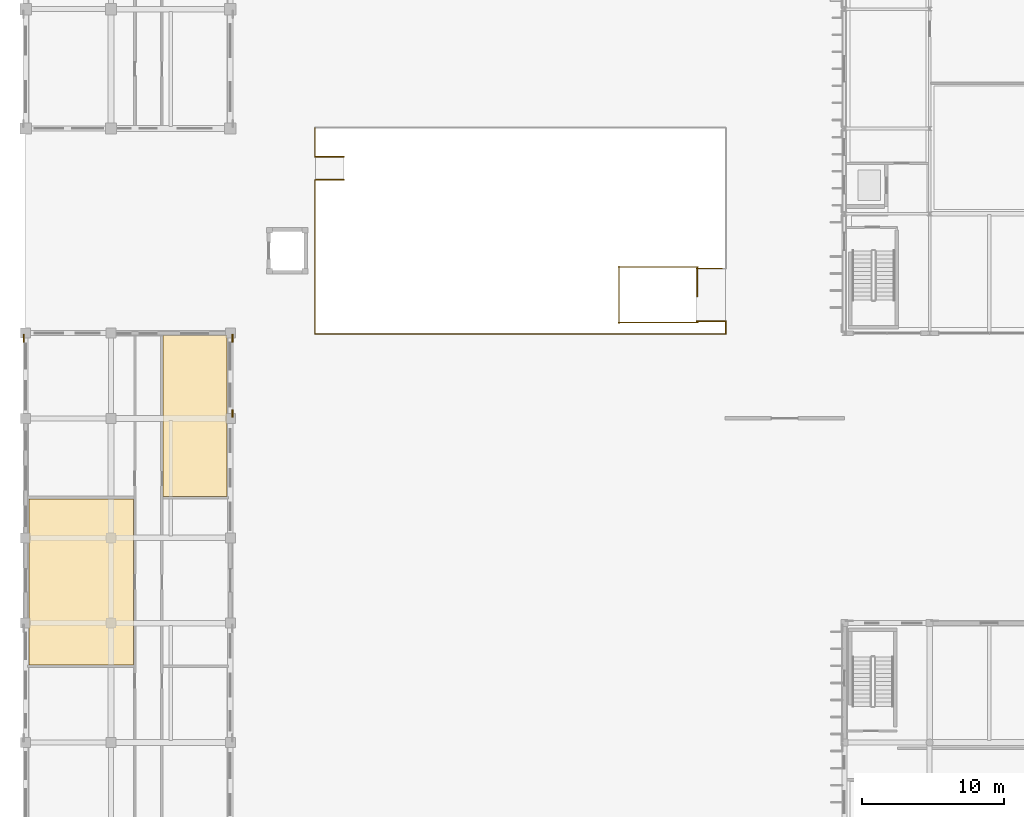
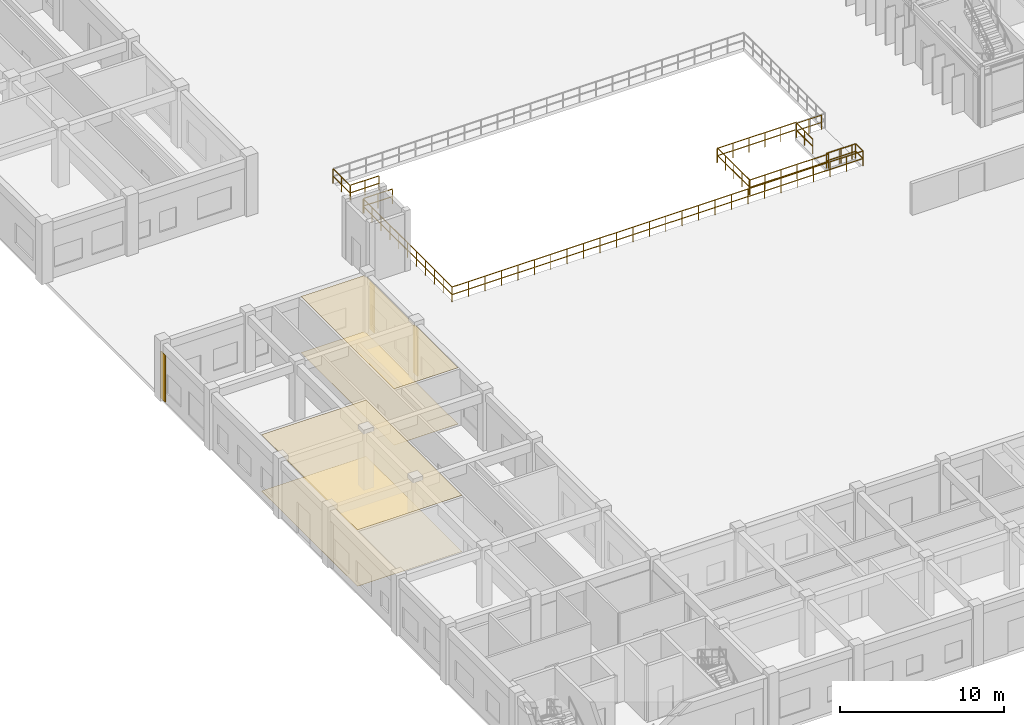
# One storey, part 53 of 67: 12 railings, 7 coverings.
"""IFC4 building model written with IfcOpenShell, lengths in metres."""

from ifc_helpers import new_model, si_unit, direction, frame, origin, origin_2d, place, context, subcontext, project, spatial, polyline, rectangle, outline, extrude, material, layer, layer_set, type_object, element, save


model = new_model("IFC4")

# Units and contexts
model_context = context("Model", 3, precision=1e-05, world=origin(), true_north=direction((0.0, 1.0)))
body_context = subcontext(model_context, "Body", "Model", "MODEL_VIEW")
ifc_project = project(units=[si_unit("LENGTHUNIT", "METRE"), si_unit("AREAUNIT", "SQUARE_METRE"), si_unit("VOLUMEUNIT", "CUBIC_METRE"), si_unit("PLANEANGLEUNIT", "RADIAN"), si_unit("MASSUNIT", "GRAM", prefix="KILO"), si_unit("THERMODYNAMICTEMPERATUREUNIT", "KELVIN")], contexts=[model_context])

# Site, building, storey
site_placement = place(None, origin())
site = spatial("IfcSite", under=ifc_project, at=site_placement, CompositionType="ELEMENT")
building_placement = place(site_placement, origin())
building = spatial("IfcBuilding", under=site, at=building_placement, Name="Thalorik Housing Commons", CompositionType="ELEMENT")
storey_placement = place(building_placement, origin())
storey = spatial("IfcBuildingStorey", under=building, at=storey_placement, Name="L00", CompositionType="ELEMENT", Elevation=0.0)

# Coverings
ifc_material_1 = material(Name="Cobalt blue glazed ceramic facade tile panel", Category="masonry")
ifc_layer_1 = layer(ifc_material_1, 0.06005859375, Name="Cobalt blue glazed ceramic facade tile panel", Category="masonry")
ifc_layer_set_1 = layer_set([ifc_layer_1], Name="Cobalt blue glazed ceramic facade tile panel")
covering_type_1 = type_object("IfcCoveringType", Name="ARC-CLD-BLU-60", PredefinedType="CLADDING", material=ifc_layer_set_1)
covering_1_placement = place(storey_placement, frame((8.255615234375, 57.25, 0.0498046875), z_axis=(0.0, 0.0, 1.0), x_axis=(0.0, -1.0, 0.0)))
element("IfcCovering", 1, at=covering_1_placement, inside=storey, type_object=covering_type_1, Name="L00 Architectural Facade Cladding 3418", PredefinedType="CLADDING", context=body_context, shape_type="SweptSolid", body=[
    extrude(rectangle(XDim=0.550048828125, YDim=0.06005859375, at=origin_2d()), origin(), (0.0, 0.0, 1.0), 3.485107421875),
])
ifc_material_2 = material(Name="Precast concrete C40/50", Category="concrete")
ifc_layer_2 = layer(ifc_material_2, 0.074951171875, Name="Precast concrete C40/50", Category="concrete")
ifc_layer_set_2 = layer_set([ifc_layer_2], Name="Precast concrete C40/50")
covering_type_2 = type_object("IfcCoveringType", Name="ARC-CLD-PIER-75", PredefinedType="CLADDING", material=ifc_layer_set_2)
for number, where, z_axis, x_axis, name in (
    (2, (22.951904296875, 51.949951171875, 0.0498046875), (0.0, 0.0, 1.0), (0.0, 1.0, 0.0), "L00 Architectural Facade Cladding 3416"),
    (3, (22.951904296875, 57.25, 0.0498046875), (0.0, 0.0, 1.0), (0.0, 1.0, 0.0), "L00 Architectural Facade Cladding 3417"),
):
    element("IfcCovering", number, at=place(storey_placement, frame(where, z_axis=z_axis, x_axis=x_axis)), inside=storey, type_object=covering_type_2, Name=name, PredefinedType="CLADDING", context=body_context, shape_type="SweptSolid", body=[
        extrude(rectangle(XDim=0.550048828125, YDim=0.074951171875, at=origin_2d()), origin(), (0.0, 0.0, 1.0), 3.485107421875),
    ])
ifc_material_3 = material(Name="Perforated acoustic gypsum ceiling board")
ifc_layer_3 = layer(ifc_material_3, 0.014892578125, Name="Perforated acoustic gypsum ceiling board")
ifc_layer_set_3 = layer_set([ifc_layer_3], Name="Perforated acoustic gypsum ceiling board")
covering_type_3 = type_object("IfcCoveringType", Name="ARC-COV-CEIL-01", PredefinedType="CEILING", material=ifc_layer_set_3)
covering_2_placement = place(storey_placement, frame((0.0, 0.0, 4.18505859375)))
element("IfcCovering", 4, at=covering_2_placement, inside=storey, type_object=covering_type_3, Name="L00 Bicycle Repair Workshop Suspended Ceiling", PredefinedType="CEILING", context=body_context, shape_type="SweptSolid", body=[
    extrude(outline(polyline([(16.0, 45.949951171875), (8.639892578125, 45.949951171875), (8.639892578125, 34.25), (16.0, 34.25), (16.0, 45.949951171875)])), origin(), (0.0, 0.0, 1.0), 0.014892578125),
])
ifc_material_4 = material(Name="Mineral fibre acoustic ceiling tile")
ifc_layer_4 = layer(ifc_material_4, 0.01806640625, Name="Mineral fibre acoustic ceiling tile")
ifc_layer_set_4 = layer_set([ifc_layer_4], Name="Mineral fibre acoustic ceiling tile")
covering_type_4 = type_object("IfcCoveringType", Name="ARC-COV-CEIL-02", PredefinedType="CEILING", material=ifc_layer_set_4)
covering_3_placement = place(storey_placement, frame((0.0, 0.0, 4.181884765625)))
element("IfcCovering", 5, at=covering_3_placement, inside=storey, type_object=covering_type_4, Name="L00 Senior Day Lounge Suspended Ceiling", PredefinedType="CEILING", context=body_context, shape_type="SweptSolid", body=[
    extrude(outline(polyline([(22.56005859375, 57.4599609375), (18.06005859375, 57.4599609375), (18.06005859375, 46.110107421875), (22.56005859375, 46.110107421875), (22.56005859375, 57.4599609375)])), origin(), (0.0, 0.0, 1.0), 0.01806640625),
])
ifc_material_5 = material(Name="Glazed Recife ceramic apartment floor tile")
ifc_layer_5 = layer(ifc_material_5, 0.011962890625, Name="Glazed Recife ceramic apartment floor tile")
ifc_layer_set_5 = layer_set([ifc_layer_5], Name="Glazed Recife ceramic apartment floor tile")
covering_type_5 = type_object("IfcCoveringType", Name="ARC-COV-FLR-01", PredefinedType="FLOORING", material=ifc_layer_set_5)
covering_4_placement = place(storey_placement, origin())
element("IfcCovering", 6, at=covering_4_placement, inside=storey, type_object=covering_type_5, Name="L00 Bicycle Repair Workshop Flooring", PredefinedType="FLOORING", context=body_context, shape_type="SweptSolid", body=[
    extrude(outline(polyline([(16.0, 45.949951171875), (8.639892578125, 45.949951171875), (8.639892578125, 34.25), (16.0, 34.25), (16.0, 45.949951171875)])), origin(), (0.0, 0.0, 1.0), 0.011962890625),
])
ifc_material_6 = material(Name="Slip-resistant quarry terracotta corridor tile", Category="masonry")
ifc_layer_6 = layer(ifc_material_6, 0.01611328125, Name="Slip-resistant quarry terracotta corridor tile", Category="masonry")
ifc_layer_set_6 = layer_set([ifc_layer_6], Name="Slip-resistant quarry terracotta corridor tile")
covering_type_6 = type_object("IfcCoveringType", Name="ARC-COV-FLR-02", PredefinedType="FLOORING", material=ifc_layer_set_6)
covering_5_placement = place(storey_placement, origin())
element("IfcCovering", 7, at=covering_5_placement, inside=storey, type_object=covering_type_6, Name="L00 Senior Day Lounge Flooring", PredefinedType="FLOORING", context=body_context, shape_type="SweptSolid", body=[
    extrude(outline(polyline([(22.56005859375, 57.4599609375), (18.06005859375, 57.4599609375), (18.06005859375, 46.110107421875), (22.56005859375, 46.110107421875), (22.56005859375, 57.4599609375)])), origin(), (0.0, 0.0, 1.0), 0.01611328125),
])

# Railings
ifc_material_7 = material(Name="Steel S355", Category="steel")
railing_type_1 = type_object("IfcRailingType", Name="ARC-RL-STR-GRD110", PredefinedType="GUARDRAIL", material=ifc_material_7)
railing_1_placement = place(storey_placement, frame((55.64990234375, 62.199951171875, 0.0)))
element("IfcRailing", 8, at=railing_1_placement, inside=storey, type_object=railing_type_1, Name="L00 ST-M1 top well guard 1", PredefinedType="GUARDRAIL", context=body_context, shape_type="SweptSolid", body=[
    extrude(rectangle(XDim=0.048095703125, YDim=0.048095703125, at=origin_2d()), frame((0.0, 0.0, 1.076171875), z_axis=(0.0, -1.0, 0.0), x_axis=(1.0, 0.0, 0.0)), (0.0, 0.0, 1.0), 2.0),
    extrude(rectangle(XDim=0.048095703125, YDim=0.048095703125, at=origin_2d()), frame((0.0, 0.0, 0.52587890625), z_axis=(0.0, -1.0, 0.0), x_axis=(1.0, 0.0, 0.0)), (0.0, 0.0, 1.0), 2.0),
    extrude(rectangle(XDim=0.0419921875, YDim=0.0419921875, at=origin_2d()), origin(), (0.0, 0.0, 1.0), 1.052001953125),
    extrude(rectangle(XDim=0.0419921875, YDim=0.0419921875, at=origin_2d()), frame((0.0, -1.0, 0.0)), (0.0, 0.0, 1.0), 1.052001953125),
    extrude(rectangle(XDim=0.0419921875, YDim=0.0419921875, at=origin_2d()), frame((0.0, -2.0, 0.0)), (0.0, 0.0, 1.0), 1.052001953125),
])
for number, where, name in (
    (9, (55.699951171875, 62.25, 0.0), "L00 ST-M1 top well guard 2"),
    (10, (55.699951171875, 58.35009765625, 0.0), "L00 ST-M1 top well guard 3"),
):
    element("IfcRailing", number, at=place(storey_placement, frame(where)), inside=storey, type_object=railing_type_1, Name=name, PredefinedType="GUARDRAIL", context=body_context, shape_type="SweptSolid", body=[
        extrude(rectangle(XDim=0.048095703125, YDim=0.048095703125, at=origin_2d()), frame((0.0, 0.0, 1.076171875), z_axis=(-1.0, 0.0, 0.0), x_axis=(0.0, -1.0, 0.0)), (0.0, 0.0, 1.0), 5.599853515625),
        extrude(rectangle(XDim=0.048095703125, YDim=0.048095703125, at=origin_2d()), frame((0.0, 0.0, 0.52587890625), z_axis=(-1.0, 0.0, 0.0), x_axis=(0.0, -1.0, 0.0)), (0.0, 0.0, 1.0), 5.599853515625),
        extrude(rectangle(XDim=0.0419921875, YDim=0.0419921875, at=origin_2d()), origin(), (0.0, 0.0, 1.0), 1.052001953125),
        extrude(rectangle(XDim=0.0419921875, YDim=0.0419921875, at=origin_2d()), frame((-1.119873046875, 0.0, 0.0)), (0.0, 0.0, 1.0), 1.052001953125),
        extrude(rectangle(XDim=0.0419921875, YDim=0.0419921875, at=origin_2d()), frame((-2.239990234375, 0.0, 0.0)), (0.0, 0.0, 1.0), 1.052001953125),
        extrude(rectangle(XDim=0.0419921875, YDim=0.0419921875, at=origin_2d()), frame((-3.35986328125, 0.0, 0.0)), (0.0, 0.0, 1.0), 1.052001953125),
        extrude(rectangle(XDim=0.0419921875, YDim=0.0419921875, at=origin_2d()), frame((-4.47998046875, 0.0, 0.0)), (0.0, 0.0, 1.0), 1.052001953125),
        extrude(rectangle(XDim=0.0419921875, YDim=0.0419921875, at=origin_2d()), frame((-5.599853515625, 0.0, 0.0)), (0.0, 0.0, 1.0), 1.052001953125),
    ])
railing_2_placement = place(storey_placement, frame((50.14990234375, 62.300048828125, 0.0)))
element("IfcRailing", 11, at=railing_2_placement, inside=storey, type_object=railing_type_1, Name="L00 ST-M1 top well guard 4", PredefinedType="GUARDRAIL", context=body_context, shape_type="SweptSolid", body=[
    extrude(rectangle(XDim=0.048095703125, YDim=0.048095703125, at=origin_2d()), frame((0.0, 0.0, 1.076171875), z_axis=(0.0, -1.0, 0.0), x_axis=(1.0, 0.0, 0.0)), (0.0, 0.0, 1.0), 4.0),
    extrude(rectangle(XDim=0.048095703125, YDim=0.048095703125, at=origin_2d()), frame((0.0, 0.0, 0.52587890625), z_axis=(0.0, -1.0, 0.0), x_axis=(1.0, 0.0, 0.0)), (0.0, 0.0, 1.0), 4.0),
    extrude(rectangle(XDim=0.0419921875, YDim=0.0419921875, at=origin_2d()), origin(), (0.0, 0.0, 1.0), 1.052001953125),
    extrude(rectangle(XDim=0.0419921875, YDim=0.0419921875, at=origin_2d()), frame((0.0, -1.0, 0.0)), (0.0, 0.0, 1.0), 1.052001953125),
    extrude(rectangle(XDim=0.0419921875, YDim=0.0419921875, at=origin_2d()), frame((0.0, -2.0, 0.0)), (0.0, 0.0, 1.0), 1.052001953125),
    extrude(rectangle(XDim=0.0419921875, YDim=0.0419921875, at=origin_2d()), frame((0.0, -3.0, 0.0)), (0.0, 0.0, 1.0), 1.052001953125),
    extrude(rectangle(XDim=0.0419921875, YDim=0.0419921875, at=origin_2d()), frame((0.0, -4.0, 0.0)), (0.0, 0.0, 1.0), 1.052001953125),
])
for number, where, name in (
    (12, (57.39990234375, 62.14990234375, 0.0), "L00 ST-M1 top well guard 5"),
    (13, (57.39990234375, 58.449951171875, 0.0), "L00 ST-M1 top well guard 6"),
):
    element("IfcRailing", number, at=place(storey_placement, frame(where)), inside=storey, type_object=railing_type_1, Name=name, PredefinedType="GUARDRAIL", context=body_context, shape_type="SweptSolid", body=[
        extrude(rectangle(XDim=0.048095703125, YDim=0.048095703125, at=origin_2d()), frame((0.0, 0.0, 1.076171875), z_axis=(-1.0, 0.0, 0.0), x_axis=(0.0, -1.0, 0.0)), (0.0, 0.0, 1.0), 1.7998046875),
        extrude(rectangle(XDim=0.048095703125, YDim=0.048095703125, at=origin_2d()), frame((0.0, 0.0, 0.52587890625), z_axis=(-1.0, 0.0, 0.0), x_axis=(0.0, -1.0, 0.0)), (0.0, 0.0, 1.0), 1.7998046875),
        extrude(rectangle(XDim=0.0419921875, YDim=0.0419921875, at=origin_2d()), origin(), (0.0, 0.0, 1.0), 1.052001953125),
        extrude(rectangle(XDim=0.0419921875, YDim=0.0419921875, at=origin_2d()), frame((-0.89990234375, 0.0, 0.0)), (0.0, 0.0, 1.0), 1.052001953125),
        extrude(rectangle(XDim=0.0419921875, YDim=0.0419921875, at=origin_2d()), frame((-1.7998046875, 0.0, 0.0)), (0.0, 0.0, 1.0), 1.052001953125),
    ])
railing_type_2 = type_object("IfcRailingType", Name="ARC-RL-VOID-112", PredefinedType="GUARDRAIL", material=ifc_material_7)
for number, where, name in (
    (14, (28.800048828125, 68.389892578125, 0.0), "Metro Ramp Top Landing S Guardrail"),
    (15, (28.800048828125, 70.010009765625, 0.0), "Metro Ramp Top Landing N Guardrail"),
):
    element("IfcRailing", number, at=place(storey_placement, frame(where)), inside=storey, type_object=railing_type_2, Name=name, PredefinedType="GUARDRAIL", context=body_context, shape_type="SweptSolid", body=[
        extrude(rectangle(XDim=0.048095703125, YDim=0.048095703125, at=origin_2d()), frame((0.0, 0.0, 1.09619140625), z_axis=(1.0, 0.0, 0.0), x_axis=(0.0, 1.0, 0.0)), (0.0, 0.0, 1.0), 2.0),
        extrude(rectangle(XDim=0.048095703125, YDim=0.048095703125, at=origin_2d()), frame((0.0, 0.0, 0.5361328125), z_axis=(1.0, 0.0, 0.0), x_axis=(0.0, 1.0, 0.0)), (0.0, 0.0, 1.0), 2.0),
        extrude(rectangle(XDim=0.0419921875, YDim=0.0419921875, at=origin_2d()), origin(), (0.0, 0.0, 1.0), 1.072021484375),
        extrude(rectangle(XDim=0.0419921875, YDim=0.0419921875, at=origin_2d()), frame((1.0, 0.0, 0.0)), (0.0, 0.0, 1.0), 1.072021484375),
        extrude(rectangle(XDim=0.0419921875, YDim=0.0419921875, at=origin_2d()), frame((2.0, 0.0, 0.0)), (0.0, 0.0, 1.0), 1.072021484375),
    ])
railing_3_placement = place(storey_placement, frame((28.75, 57.550048828125, 0.0)))
element("IfcRailing", 16, at=railing_3_placement, inside=storey, type_object=railing_type_2, Name="L00 Sunken Metro Forecourt Guardrail S", PredefinedType="GUARDRAIL", context=body_context, shape_type="SweptSolid", body=[
    extrude(rectangle(XDim=0.048095703125, YDim=0.048095703125, at=origin_2d()), frame((0.0, 0.0, 1.09619140625), z_axis=(1.0, 0.0, 0.0), x_axis=(0.0, 1.0, 0.0)), (0.0, 0.0, 1.0), 28.89990234375),
    extrude(rectangle(XDim=0.048095703125, YDim=0.048095703125, at=origin_2d()), frame((0.0, 0.0, 0.5361328125), z_axis=(1.0, 0.0, 0.0), x_axis=(0.0, 1.0, 0.0)), (0.0, 0.0, 1.0), 28.89990234375),
    extrude(rectangle(XDim=0.0419921875, YDim=0.0419921875, at=origin_2d()), origin(), (0.0, 0.0, 1.0), 1.072021484375),
    extrude(rectangle(XDim=0.0419921875, YDim=0.0419921875, at=origin_2d()), frame((1.156005859375, 0.0, 0.0)), (0.0, 0.0, 1.0), 1.072021484375),
    extrude(rectangle(XDim=0.0419921875, YDim=0.0419921875, at=origin_2d()), frame((2.31201171875, 0.0, 0.0)), (0.0, 0.0, 1.0), 1.072021484375),
    extrude(rectangle(XDim=0.0419921875, YDim=0.0419921875, at=origin_2d()), frame((3.468017578125, 0.0, 0.0)), (0.0, 0.0, 1.0), 1.072021484375),
    extrude(rectangle(XDim=0.0419921875, YDim=0.0419921875, at=origin_2d()), frame((4.6240234375, 0.0, 0.0)), (0.0, 0.0, 1.0), 1.072021484375),
    extrude(rectangle(XDim=0.0419921875, YDim=0.0419921875, at=origin_2d()), frame((5.780029296875, 0.0, 0.0)), (0.0, 0.0, 1.0), 1.072021484375),
    extrude(rectangle(XDim=0.0419921875, YDim=0.0419921875, at=origin_2d()), frame((6.93603515625, 0.0, 0.0)), (0.0, 0.0, 1.0), 1.072021484375),
    extrude(rectangle(XDim=0.0419921875, YDim=0.0419921875, at=origin_2d()), frame((8.092041015625, 0.0, 0.0)), (0.0, 0.0, 1.0), 1.072021484375),
    extrude(rectangle(XDim=0.0419921875, YDim=0.0419921875, at=origin_2d()), frame((9.248046875, 0.0, 0.0)), (0.0, 0.0, 1.0), 1.072021484375),
    extrude(rectangle(XDim=0.0419921875, YDim=0.0419921875, at=origin_2d()), frame((10.404052734375, 0.0, 0.0)), (0.0, 0.0, 1.0), 1.072021484375),
    extrude(rectangle(XDim=0.0419921875, YDim=0.0419921875, at=origin_2d()), frame((11.56005859375, 0.0, 0.0)), (0.0, 0.0, 1.0), 1.072021484375),
    extrude(rectangle(XDim=0.0419921875, YDim=0.0419921875, at=origin_2d()), frame((12.716064453125, 0.0, 0.0)), (0.0, 0.0, 1.0), 1.072021484375),
    extrude(rectangle(XDim=0.0419921875, YDim=0.0419921875, at=origin_2d()), frame((13.8720703125, 0.0, 0.0)), (0.0, 0.0, 1.0), 1.072021484375),
    extrude(rectangle(XDim=0.0419921875, YDim=0.0419921875, at=origin_2d()), frame((15.02783203125, 0.0, 0.0)), (0.0, 0.0, 1.0), 1.072021484375),
    extrude(rectangle(XDim=0.0419921875, YDim=0.0419921875, at=origin_2d()), frame((16.183837890625, 0.0, 0.0)), (0.0, 0.0, 1.0), 1.072021484375),
    extrude(rectangle(XDim=0.0419921875, YDim=0.0419921875, at=origin_2d()), frame((17.33984375, 0.0, 0.0)), (0.0, 0.0, 1.0), 1.072021484375),
    extrude(rectangle(XDim=0.0419921875, YDim=0.0419921875, at=origin_2d()), frame((18.495849609375, 0.0, 0.0)), (0.0, 0.0, 1.0), 1.072021484375),
    extrude(rectangle(XDim=0.0419921875, YDim=0.0419921875, at=origin_2d()), frame((19.65185546875, 0.0, 0.0)), (0.0, 0.0, 1.0), 1.072021484375),
    extrude(rectangle(XDim=0.0419921875, YDim=0.0419921875, at=origin_2d()), frame((20.807861328125, 0.0, 0.0)), (0.0, 0.0, 1.0), 1.072021484375),
    extrude(rectangle(XDim=0.0419921875, YDim=0.0419921875, at=origin_2d()), frame((21.9638671875, 0.0, 0.0)), (0.0, 0.0, 1.0), 1.072021484375),
    extrude(rectangle(XDim=0.0419921875, YDim=0.0419921875, at=origin_2d()), frame((23.119873046875, 0.0, 0.0)), (0.0, 0.0, 1.0), 1.072021484375),
    extrude(rectangle(XDim=0.0419921875, YDim=0.0419921875, at=origin_2d()), frame((24.27587890625, 0.0, 0.0)), (0.0, 0.0, 1.0), 1.072021484375),
    extrude(rectangle(XDim=0.0419921875, YDim=0.0419921875, at=origin_2d()), frame((25.431884765625, 0.0, 0.0)), (0.0, 0.0, 1.0), 1.072021484375),
    extrude(rectangle(XDim=0.0419921875, YDim=0.0419921875, at=origin_2d()), frame((26.587890625, 0.0, 0.0)), (0.0, 0.0, 1.0), 1.072021484375),
    extrude(rectangle(XDim=0.0419921875, YDim=0.0419921875, at=origin_2d()), frame((27.743896484375, 0.0, 0.0)), (0.0, 0.0, 1.0), 1.072021484375),
    extrude(rectangle(XDim=0.0419921875, YDim=0.0419921875, at=origin_2d()), frame((28.89990234375, 0.0, 0.0)), (0.0, 0.0, 1.0), 1.072021484375),
])
railing_4_placement = place(storey_placement, frame((28.75, 57.550048828125, 0.0)))
element("IfcRailing", 17, at=railing_4_placement, inside=storey, type_object=railing_type_2, Name="L00 Sunken Metro Forecourt Guardrail W1", PredefinedType="GUARDRAIL", context=body_context, shape_type="SweptSolid", body=[
    extrude(rectangle(XDim=0.048095703125, YDim=0.048095703125, at=origin_2d()), frame((0.0, 0.0, 1.09619140625), z_axis=(0.0, 1.0, 0.0), x_axis=(-1.0, 0.0, 0.0)), (0.0, 0.0, 1.0), 10.83984375),
    extrude(rectangle(XDim=0.048095703125, YDim=0.048095703125, at=origin_2d()), frame((0.0, 0.0, 0.5361328125), z_axis=(0.0, 1.0, 0.0), x_axis=(-1.0, 0.0, 0.0)), (0.0, 0.0, 1.0), 10.83984375),
    extrude(rectangle(XDim=0.0419921875, YDim=0.0419921875, at=origin_2d()), origin(), (0.0, 0.0, 1.0), 1.072021484375),
    extrude(rectangle(XDim=0.0419921875, YDim=0.0419921875, at=origin_2d()), frame((0.0, 1.083984375, 0.0)), (0.0, 0.0, 1.0), 1.072021484375),
    extrude(rectangle(XDim=0.0419921875, YDim=0.0419921875, at=origin_2d()), frame((0.0, 2.16796875, 0.0)), (0.0, 0.0, 1.0), 1.072021484375),
    extrude(rectangle(XDim=0.0419921875, YDim=0.0419921875, at=origin_2d()), frame((0.0, 3.251953125, 0.0)), (0.0, 0.0, 1.0), 1.072021484375),
    extrude(rectangle(XDim=0.0419921875, YDim=0.0419921875, at=origin_2d()), frame((0.0, 4.3359375, 0.0)), (0.0, 0.0, 1.0), 1.072021484375),
    extrude(rectangle(XDim=0.0419921875, YDim=0.0419921875, at=origin_2d()), frame((0.0, 5.419921875, 0.0)), (0.0, 0.0, 1.0), 1.072021484375),
    extrude(rectangle(XDim=0.0419921875, YDim=0.0419921875, at=origin_2d()), frame((0.0, 6.50390625, 0.0)), (0.0, 0.0, 1.0), 1.072021484375),
    extrude(rectangle(XDim=0.0419921875, YDim=0.0419921875, at=origin_2d()), frame((0.0, 7.587890625, 0.0)), (0.0, 0.0, 1.0), 1.072021484375),
    extrude(rectangle(XDim=0.0419921875, YDim=0.0419921875, at=origin_2d()), frame((0.0, 8.671875, 0.0)), (0.0, 0.0, 1.0), 1.072021484375),
    extrude(rectangle(XDim=0.0419921875, YDim=0.0419921875, at=origin_2d()), frame((0.0, 9.755859375, 0.0)), (0.0, 0.0, 1.0), 1.072021484375),
    extrude(rectangle(XDim=0.0419921875, YDim=0.0419921875, at=origin_2d()), frame((0.0, 10.83984375, 0.0)), (0.0, 0.0, 1.0), 1.072021484375),
])
railing_5_placement = place(storey_placement, frame((28.75, 70.010009765625, 0.0)))
element("IfcRailing", 18, at=railing_5_placement, inside=storey, type_object=railing_type_2, Name="L00 Sunken Metro Forecourt Guardrail W2", PredefinedType="GUARDRAIL", context=body_context, shape_type="SweptSolid", body=[
    extrude(rectangle(XDim=0.048095703125, YDim=0.048095703125, at=origin_2d()), frame((0.0, 0.0, 1.09619140625), z_axis=(0.0, 1.0, 0.0), x_axis=(-1.0, 0.0, 0.0)), (0.0, 0.0, 1.0), 2.0400390625),
    extrude(rectangle(XDim=0.048095703125, YDim=0.048095703125, at=origin_2d()), frame((0.0, 0.0, 0.5361328125), z_axis=(0.0, 1.0, 0.0), x_axis=(-1.0, 0.0, 0.0)), (0.0, 0.0, 1.0), 2.0400390625),
    extrude(rectangle(XDim=0.0419921875, YDim=0.0419921875, at=origin_2d()), origin(), (0.0, 0.0, 1.0), 1.072021484375),
    extrude(rectangle(XDim=0.0419921875, YDim=0.0419921875, at=origin_2d()), frame((0.0, 1.02001953125, 0.0)), (0.0, 0.0, 1.0), 1.072021484375),
    extrude(rectangle(XDim=0.0419921875, YDim=0.0419921875, at=origin_2d()), frame((0.0, 2.0400390625, 0.0)), (0.0, 0.0, 1.0), 1.072021484375),
])
railing_6_placement = place(storey_placement, frame((57.64990234375, 57.550048828125, 0.0)))
element("IfcRailing", 19, at=railing_6_placement, inside=storey, type_object=railing_type_2, Name="L00 Sunken Metro Forecourt Guardrail E1", PredefinedType="GUARDRAIL", context=body_context, shape_type="SweptSolid", body=[
    extrude(rectangle(XDim=0.048095703125, YDim=0.048095703125, at=origin_2d()), frame((0.0, 0.0, 1.09619140625), z_axis=(0.0, 1.0, 0.0), x_axis=(-1.0, 0.0, 0.0)), (0.0, 0.0, 1.0), 0.889892578125),
    extrude(rectangle(XDim=0.048095703125, YDim=0.048095703125, at=origin_2d()), frame((0.0, 0.0, 0.5361328125), z_axis=(0.0, 1.0, 0.0), x_axis=(-1.0, 0.0, 0.0)), (0.0, 0.0, 1.0), 0.889892578125),
    extrude(rectangle(XDim=0.048095703125, YDim=0.048095703125, at=origin_2d()), frame((0.0, 0.889892578125, 1.09619140625), z_axis=(-1.0, 0.0, 0.0), x_axis=(0.0, -1.0, 0.0)), (0.0, 0.0, 1.0), 2.06982421875),
    extrude(rectangle(XDim=0.048095703125, YDim=0.048095703125, at=origin_2d()), frame((0.0, 0.889892578125, 0.5361328125), z_axis=(-1.0, 0.0, 0.0), x_axis=(0.0, -1.0, 0.0)), (0.0, 0.0, 1.0), 2.06982421875),
    extrude(rectangle(XDim=0.0419921875, YDim=0.0419921875, at=origin_2d()), origin(), (0.0, 0.0, 1.0), 1.072021484375),
    extrude(rectangle(XDim=0.0419921875, YDim=0.0419921875, at=origin_2d()), frame((0.0, 0.889892578125, 0.0)), (0.0, 0.0, 1.0), 1.072021484375),
    extrude(rectangle(XDim=0.0419921875, YDim=0.0419921875, at=origin_2d()), frame((-1.034912109375, 0.889892578125, 0.0)), (0.0, 0.0, 1.0), 1.072021484375),
    extrude(rectangle(XDim=0.0419921875, YDim=0.0419921875, at=origin_2d()), frame((-2.06982421875, 0.889892578125, 0.0)), (0.0, 0.0, 1.0), 1.072021484375),
])

save(model, "model.ifc")
